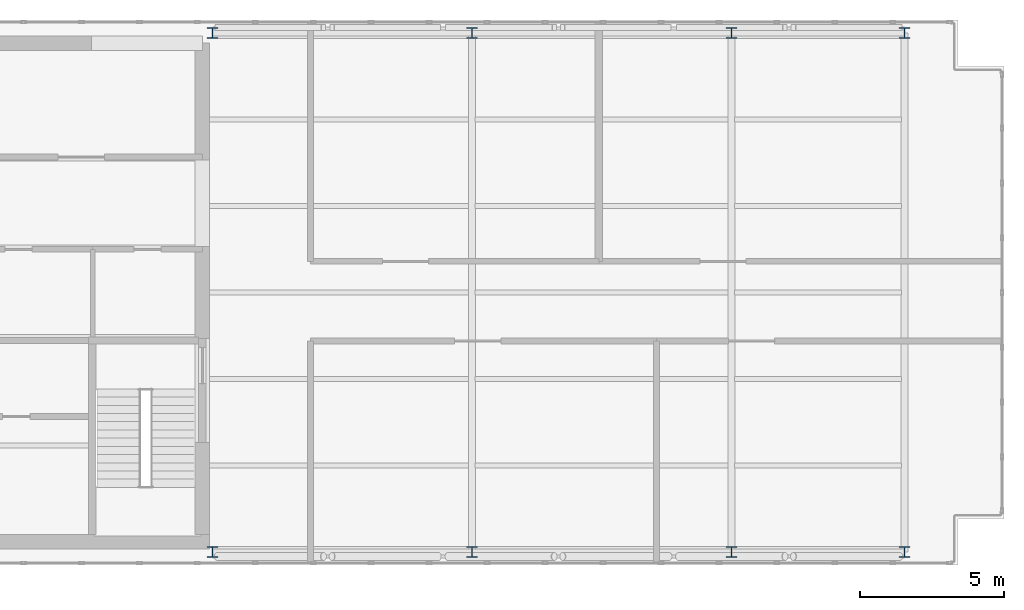
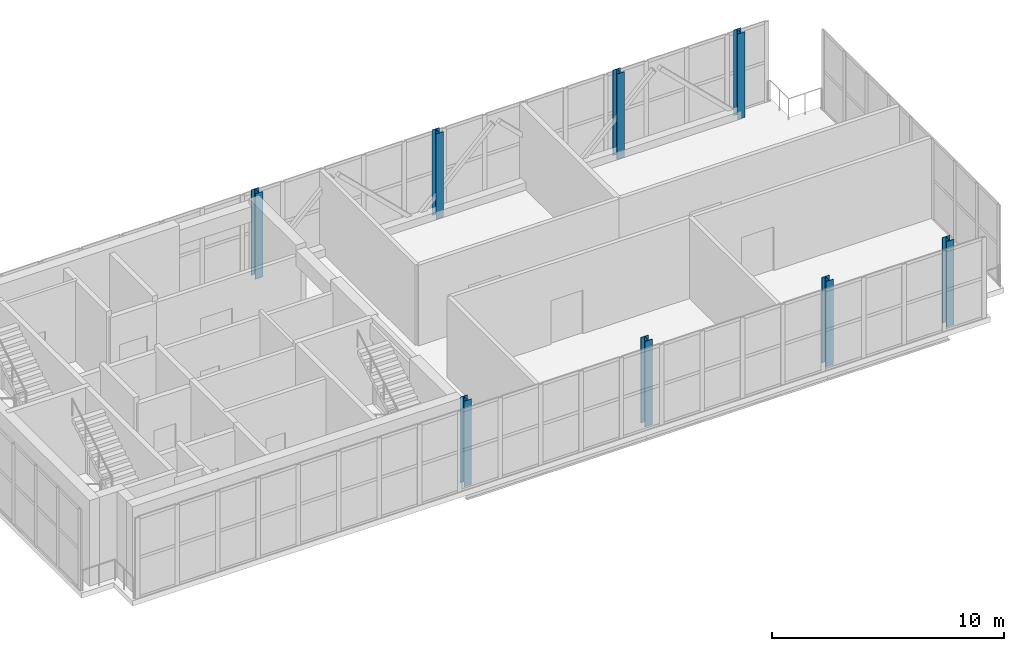
# One storey, part 1 of 21: 8 columns.
"""IFC4 building model written with IfcOpenShell, lengths in metres."""

from ifc_helpers import new_model, si_unit, direction, frame, origin, origin_2d, place, context, subcontext, project, spatial, i_section, extrude, material, material_profile, profile_set, type_object, element, save


model = new_model("IFC4")

# Units and contexts
model_context = context("Model", 3, precision=1e-05, world=origin(), true_north=direction((0.0, 1.0)))
body_context = subcontext(model_context, "Body", "Model", "MODEL_VIEW")
ifc_project = project(units=[si_unit("LENGTHUNIT", "METRE"), si_unit("AREAUNIT", "SQUARE_METRE"), si_unit("VOLUMEUNIT", "CUBIC_METRE"), si_unit("PLANEANGLEUNIT", "RADIAN"), si_unit("MASSUNIT", "GRAM", prefix="KILO")], contexts=[model_context])

# Site, building, storey
site_placement = place(None, origin())
site = spatial("IfcSite", under=ifc_project, at=site_placement, CompositionType="ELEMENT")
building_placement = place(site_placement, origin())
building = spatial("IfcBuilding", under=site, at=building_placement, Name="Mawjdan Bourse Tower", CompositionType="ELEMENT")
storey_placement = place(building_placement, frame((0.0, 0.0, 317.699951171875)))
storey = spatial("IfcBuildingStorey", under=building, at=storey_placement, Name="L78", CompositionType="ELEMENT", Elevation=317.699951171875)

# Columns
ifc_material = material(Name="Structural Steel S355", Category="steel")
ifc_material_profile = material_profile(ifc_material, i_section(OverallWidth=0.373046875, OverallDepth=0.367919921875, WebThickness=0.014892578125, FlangeThickness=0.02392578125, FilletRadius=0.01904296875, at=origin_2d()), Name="W14X120")
ifc_profile_set = profile_set([ifc_material_profile], Name="Structural Steel S355")
column_type = type_object("IfcColumnType", Name="COL-W14X120", PredefinedType="COLUMN", material=ifc_profile_set)
for number, where, z_axis, x_axis, name in (
    (1, (24.0, 3.0, 0.0), (0.0, 0.0, 1.0), (1.0, 0.0, 0.0), "L78 Structural Column C-X240-Y30"),
    (2, (24.0, 21.0, 0.0), (0.0, 0.0, 1.0), (1.0, 0.0, 0.0), "L78 Structural Column C-X240-Y210"),
    (3, (33.0, 3.0, 0.0), (0.0, 0.0, 1.0), (1.0, 0.0, 0.0), "L78 Structural Column C-X330-Y30"),
    (4, (33.0, 21.0, 0.0), (0.0, 0.0, 1.0), (1.0, 0.0, 0.0), "L78 Structural Column C-X330-Y210"),
    (5, (42.0, 3.0, 0.0), (0.0, 0.0, 1.0), (1.0, 0.0, 0.0), "L78 Structural Column C-X420-Y30"),
    (6, (42.0, 21.0, 0.0), (0.0, 0.0, 1.0), (1.0, 0.0, 0.0), "L78 Structural Column C-X420-Y210"),
    (7, (48.0, 3.0, 0.0), (0.0, 0.0, 1.0), (1.0, 0.0, 0.0), "L78 Structural Column C-X480-Y30"),
    (8, (48.0, 21.0, 0.0), (0.0, 0.0, 1.0), (1.0, 0.0, 0.0), "L78 Structural Column C-X480-Y210"),
):
    element("IfcColumn", number, at=place(storey_placement, frame(where, z_axis=z_axis, x_axis=x_axis)), inside=storey, type_object=column_type, Name=name, PredefinedType="COLUMN", context=body_context, shape_type="SweptSolid", body=[
        extrude(i_section(OverallWidth=0.373046875, OverallDepth=0.367919921875, WebThickness=0.014892578125, FlangeThickness=0.02392578125, FilletRadius=0.01904296875, at=origin_2d()), origin(), (0.0, 0.0, 1.0), 4.5),
    ])

save(model, "model.ifc")
